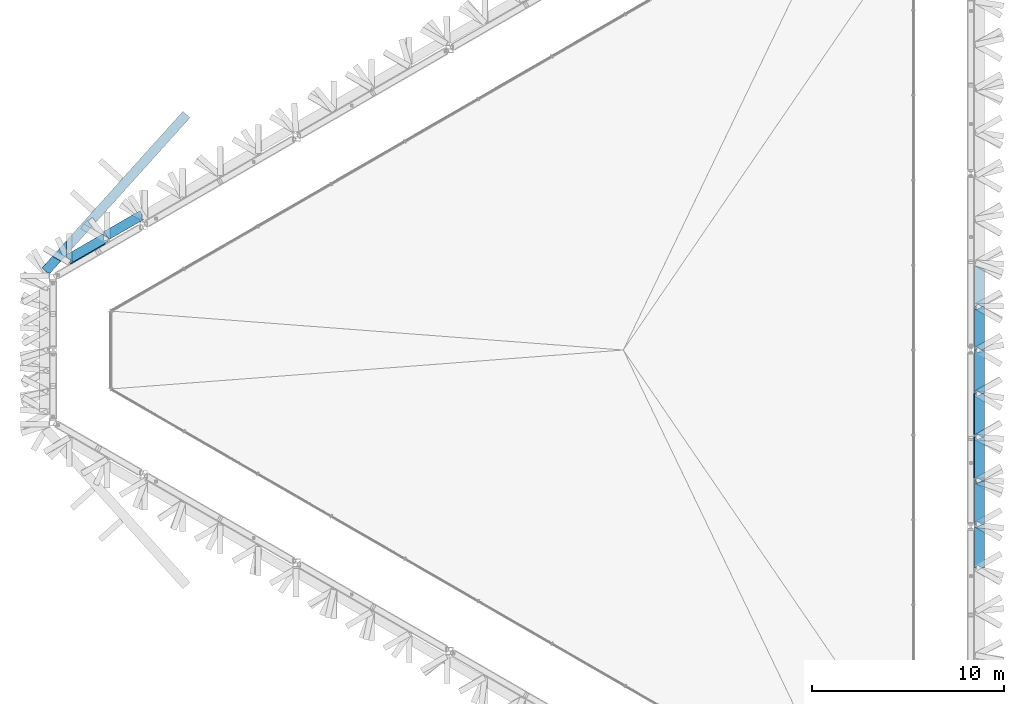
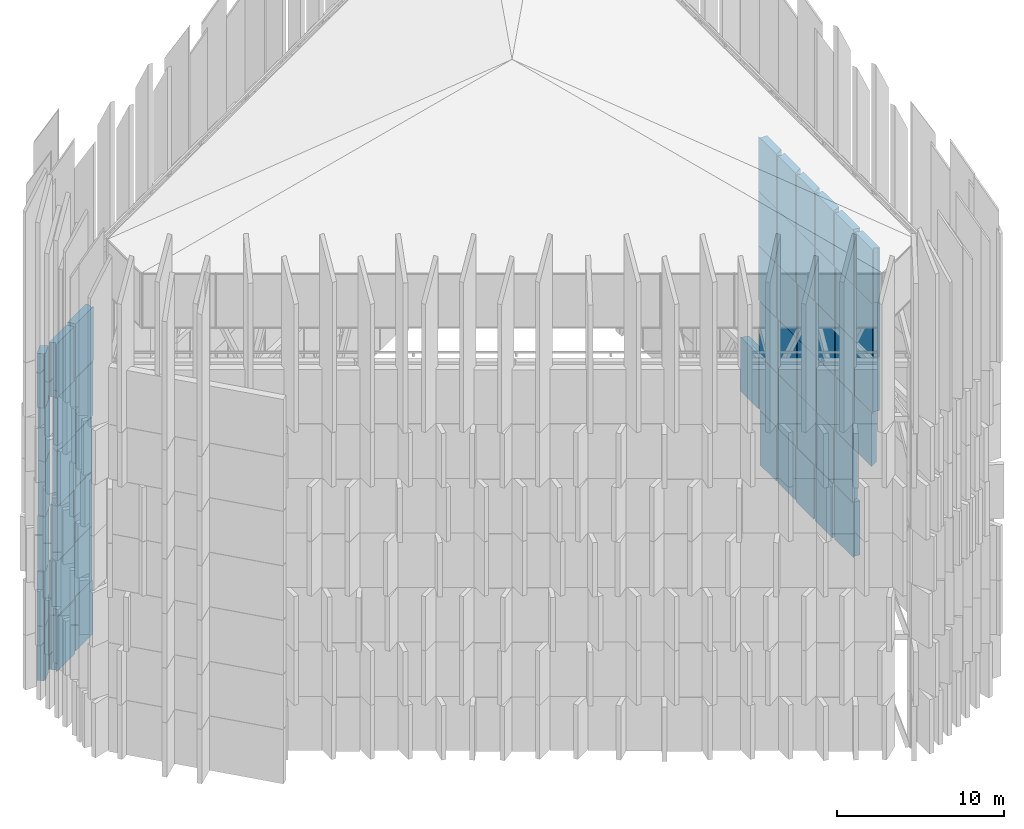
# One storey, part 31 of 45: 54 plates.
"""IFC4 building model written with IfcOpenShell, lengths in metres."""

from ifc_helpers import new_model, si_unit, direction, frame, origin, place, context, subcontext, project, spatial, polyline, outline, extrude, material, layer, layer_set, type_object, element, save


model = new_model("IFC4")

# Units and contexts
model_context = context("Model", 3, precision=1e-05, world=origin(), true_north=direction((0.0, 1.0)))
body_context = subcontext(model_context, "Body", "Model", "MODEL_VIEW")
ifc_project = project(units=[si_unit("LENGTHUNIT", "METRE"), si_unit("AREAUNIT", "SQUARE_METRE"), si_unit("VOLUMEUNIT", "CUBIC_METRE"), si_unit("PLANEANGLEUNIT", "RADIAN"), si_unit("MASSUNIT", "GRAM", prefix="KILO")], contexts=[model_context])

# Site, building, storey
site_placement = place(None, origin())
site = spatial("IfcSite", under=ifc_project, at=site_placement, CompositionType="ELEMENT")
building_placement = place(site_placement, origin())
building = spatial("IfcBuilding", under=site, at=building_placement, Name="Jabali Bay Hotel Tower and Convention Centre", CompositionType="ELEMENT")
storey_placement = place(building_placement, frame((0.0, 0.0, 322.39990234375)))
storey = spatial("IfcBuildingStorey", under=building, at=storey_placement, Name="Crown", CompositionType="ELEMENT", Elevation=322.39990234375)

# Plates
ifc_material = material(Name="Precast concrete C60", Category="concrete")
ifc_layer = layer(ifc_material, 0.5)
ifc_layer_set = layer_set([ifc_layer], Name="Precast concrete C60")
plate_type = type_object("IfcPlateType", Name="Pierced precast screen", PredefinedType="USERDEFINED", material=ifc_layer_set)
plate_1_placement = place(storey_placement, frame((0.0, 0.0, 0.010009765625)))
element("IfcPlate", 1, at=plate_1_placement, inside=storey, type_object=plate_type, Name="Screen 1.0.06", ObjectType="SCREEN", PredefinedType="USERDEFINED", context=body_context, shape_type="SweptSolid", body=[
    extrude(outline(polyline([(93.348876953125, 73.1708984375), (93.348876953125, 70.89453125), (93.369384765625, 70.89453125), (93.39013671875, 71.04296875), (93.848876953125, 70.979248046875), (93.848876953125, 73.1708984375), (93.76611328125, 73.1708984375), (93.40771484375, 73.031005859375), (93.353271484375, 73.1708984375), (93.348876953125, 73.1708984375)])), origin(), (0.0, 0.0, 1.0), 3.9658203125),
])
plate_2_placement = place(storey_placement, frame((0.0, 0.0, 0.010009765625)))
element("IfcPlate", 2, at=plate_2_placement, inside=storey, type_object=plate_type, Name="Screen 1.0.07", ObjectType="SCREEN", PredefinedType="USERDEFINED", context=body_context, shape_type="SweptSolid", body=[
    extrude(outline(polyline([(93.298828125, 75.447265625), (93.298828125, 73.310546875), (93.798828125, 73.505615234375), (93.798828125, 75.447265625), (93.673828125, 75.447265625), (93.44873046875, 75.3173828125), (93.373779296875, 75.447265625), (93.298828125, 75.447265625)])), origin(), (0.0, 0.0, 1.0), 3.9658203125),
])
plate_3_placement = place(storey_placement, frame((0.0, 0.0, 0.010009765625)))
element("IfcPlate", 3, at=plate_3_placement, inside=storey, type_object=plate_type, Name="Screen 1.0.08", ObjectType="SCREEN", PredefinedType="USERDEFINED", context=body_context, shape_type="SweptSolid", body=[
    extrude(outline(polyline([(93.298828125, 77.7236328125), (93.298828125, 75.5771484375), (93.798828125, 75.86572265625), (93.798828125, 77.7236328125), (93.673828125, 77.7236328125), (93.44873046875, 77.59375), (93.373779296875, 77.7236328125), (93.298828125, 77.7236328125)])), origin(), (0.0, 0.0, 1.0), 3.9658203125),
])
plate_4_placement = place(storey_placement, frame((0.0, 0.0, 0.010009765625)))
element("IfcPlate", 4, at=plate_4_placement, inside=storey, type_object=plate_type, Name="Screen 1.0.09", ObjectType="SCREEN", PredefinedType="USERDEFINED", context=body_context, shape_type="SweptSolid", body=[
    extrude(outline(polyline([(93.348876953125, 80.0), (93.348876953125, 77.88232421875), (93.848876953125, 78.171142578125), (93.848876953125, 80.0), (93.7236328125, 80.0), (93.498779296875, 79.8701171875), (93.423828125, 80.0), (93.348876953125, 80.0)])), origin(), (0.0, 0.0, 1.0), 3.9658203125),
])
plate_5_placement = place(storey_placement, frame((0.0, 0.0, 0.010009765625)))
element("IfcPlate", 5, at=plate_5_placement, inside=storey, type_object=plate_type, Name="Screen 1.0.10", ObjectType="SCREEN", PredefinedType="USERDEFINED", context=body_context, shape_type="SweptSolid", body=[
    extrude(outline(polyline([(93.348876953125, 82.126953125), (93.348876953125, 80.1298828125), (93.848876953125, 80.418701171875), (93.848876953125, 82.1318359375), (93.348876953125, 82.126953125)])), origin(), (0.0, 0.0, 1.0), 3.9658203125),
])
plate_6_placement = place(storey_placement, frame((0.0, 0.0, 0.010009765625)))
element("IfcPlate", 6, at=plate_6_placement, inside=storey, type_object=plate_type, Name="Screen 1.2.46", ObjectType="SCREEN", PredefinedType="USERDEFINED", context=body_context, shape_type="SweptSolid", body=[
    extrude(outline(polyline([(48.1650390625, 85.778564453125), (49.945556640625, 86.806640625), (49.891845703125, 86.806640625), (49.891845703125, 87.06640625), (49.767822265625, 87.281494140625), (47.8525390625, 86.175537109375), (48.1650390625, 85.778564453125)])), origin(), (0.0, 0.0, 1.0), 3.9658203125),
])
plate_7_placement = place(storey_placement, frame((0.0, 0.0, 0.010009765625)))
element("IfcPlate", 7, at=plate_7_placement, inside=storey, type_object=plate_type, Name="Screen 1.2.47", ObjectType="SCREEN", PredefinedType="USERDEFINED", context=body_context, shape_type="SweptSolid", body=[
    extrude(outline(polyline([(46.136474609375, 84.46533203125), (47.9794921875, 85.529296875), (47.6669921875, 85.92626953125), (45.886474609375, 84.8984375), (45.94921875, 84.7900390625), (46.174072265625, 84.66015625), (46.09912109375, 84.5302734375), (46.136474609375, 84.46533203125)])), origin(), (0.0, 0.0, 1.0), 3.9658203125),
])
plate_8_placement = place(storey_placement, frame((0.0, 0.0, 3.995849609375)))
element("IfcPlate", 8, at=plate_8_placement, inside=storey, type_object=plate_type, Name="Screen 2.0.06", ObjectType="SCREEN", PredefinedType="USERDEFINED", context=body_context, shape_type="SweptSolid", body=[
    extrude(outline(polyline([(93.348876953125, 73.1708984375), (93.348876953125, 71.0244140625), (93.848876953125, 71.31298828125), (93.848876953125, 73.1708984375), (93.7236328125, 73.1708984375), (93.498779296875, 73.041015625), (93.423828125, 73.1708984375), (93.348876953125, 73.1708984375)])), origin(), (0.0, 0.0, 1.0), 3.965576171875),
])
plate_9_placement = place(storey_placement, frame((0.0, 0.0, 3.995849609375)))
element("IfcPlate", 9, at=plate_9_placement, inside=storey, type_object=plate_type, Name="Screen 2.0.07", ObjectType="SCREEN", PredefinedType="USERDEFINED", context=body_context, shape_type="SweptSolid", body=[
    extrude(outline(polyline([(93.348876953125, 75.297607421875), (93.348876953125, 73.30078125), (93.848876953125, 73.58935546875), (93.848876953125, 75.268798828125), (93.348876953125, 75.297607421875)])), origin(), (0.0, 0.0, 1.0), 3.965576171875),
])
plate_10_placement = place(storey_placement, frame((0.0, 0.0, 3.995849609375)))
element("IfcPlate", 10, at=plate_10_placement, inside=storey, type_object=plate_type, Name="Screen 2.0.08", ObjectType="SCREEN", PredefinedType="USERDEFINED", context=body_context, shape_type="SweptSolid", body=[
    extrude(outline(polyline([(93.348876953125, 77.59375), (93.348876953125, 75.447265625), (93.357421875, 75.447265625), (93.365966796875, 75.596923828125), (93.848876953125, 75.5693359375), (93.848876953125, 77.304931640625), (93.348876953125, 77.59375)])), origin(), (0.0, 0.0, 1.0), 3.965576171875),
])
plate_11_placement = place(storey_placement, frame((0.0, 0.0, 3.995849609375)))
element("IfcPlate", 11, at=plate_11_placement, inside=storey, type_object=plate_type, Name="Screen 2.0.09", ObjectType="SCREEN", PredefinedType="USERDEFINED", context=body_context, shape_type="SweptSolid", body=[
    extrude(outline(polyline([(93.348876953125, 79.8701171875), (93.348876953125, 77.7236328125), (93.423828125, 77.7236328125), (93.498779296875, 77.853515625), (93.7236328125, 77.7236328125), (93.848876953125, 77.7236328125), (93.848876953125, 79.581298828125), (93.348876953125, 79.8701171875)])), origin(), (0.0, 0.0, 1.0), 3.965576171875),
])
plate_12_placement = place(storey_placement, frame((0.0, 0.0, 3.995849609375)))
element("IfcPlate", 12, at=plate_12_placement, inside=storey, type_object=plate_type, Name="Screen 2.0.10", ObjectType="SCREEN", PredefinedType="USERDEFINED", context=body_context, shape_type="SweptSolid", body=[
    extrude(outline(polyline([(93.348876953125, 82.146484375), (93.348876953125, 80.0), (93.423828125, 80.0), (93.498779296875, 80.1298828125), (93.7236328125, 80.0), (93.848876953125, 80.0), (93.848876953125, 81.857666015625), (93.348876953125, 82.146484375)])), origin(), (0.0, 0.0, 1.0), 3.965576171875),
])
plate_13_placement = place(storey_placement, frame((0.0, 0.0, 3.995849609375)))
element("IfcPlate", 13, at=plate_13_placement, inside=storey, type_object=plate_type, Name="Screen 2.0.11", ObjectType="SCREEN", PredefinedType="USERDEFINED", context=body_context, shape_type="SweptSolid", body=[
    extrude(outline(polyline([(93.348876953125, 84.4111328125), (93.348876953125, 82.2763671875), (93.423828125, 82.2763671875), (93.498779296875, 82.40625), (93.7236328125, 82.2763671875), (93.848876953125, 82.2763671875), (93.848876953125, 84.23681640625), (93.348876953125, 84.4111328125)])), origin(), (0.0, 0.0, 1.0), 3.965576171875),
])
plate_14_placement = place(storey_placement, frame((0.0, 0.0, 3.995849609375)))
element("IfcPlate", 14, at=plate_14_placement, inside=storey, type_object=plate_type, Name="Screen 2.2.46", ObjectType="SCREEN", PredefinedType="USERDEFINED", context=body_context, shape_type="SweptSolid", body=[
    extrude(outline(polyline([(48.04638671875, 85.710205078125), (49.884033203125, 86.771240234375), (49.6083984375, 87.189208984375), (47.79638671875, 86.14306640625), (47.8955078125, 85.971435546875), (48.12060546875, 85.841552734375), (48.04541015625, 85.711669921875), (48.04638671875, 85.710205078125)])), origin(), (0.0, 0.0, 1.0), 3.965576171875),
])
plate_15_placement = place(storey_placement, frame((0.0, 0.0, 3.995849609375)))
element("IfcPlate", 15, at=plate_15_placement, inside=storey, type_object=plate_type, Name="Screen 2.2.47", ObjectType="SCREEN", PredefinedType="USERDEFINED", context=body_context, shape_type="SweptSolid", body=[
    extrude(outline(polyline([(46.111572265625, 84.508544921875), (47.970458984375, 85.581787109375), (47.470458984375, 85.87060546875), (45.861572265625, 84.941650390625), (45.924072265625, 84.833251953125), (46.149169921875, 84.703369140625), (46.07421875, 84.573486328125), (46.111572265625, 84.508544921875)])), origin(), (0.0, 0.0, 1.0), 3.965576171875),
])
plate_16_placement = place(storey_placement, frame((0.0, 0.0, 7.9814453125)))
element("IfcPlate", 16, at=plate_16_placement, inside=storey, type_object=plate_type, Name="Screen 3.0.05", ObjectType="SCREEN", PredefinedType="USERDEFINED", context=body_context, shape_type="SweptSolid", body=[
    extrude(outline(polyline([(93.348876953125, 70.89453125), (93.348876953125, 68.748046875), (93.848876953125, 69.03662109375), (93.848876953125, 70.89453125), (93.7236328125, 70.89453125), (93.498779296875, 70.7646484375), (93.423828125, 70.89453125), (93.348876953125, 70.89453125)])), origin(), (0.0, 0.0, 1.0), 3.9658203125),
])
plate_17_placement = place(storey_placement, frame((0.0, 0.0, 7.9814453125)))
element("IfcPlate", 17, at=plate_17_placement, inside=storey, type_object=plate_type, Name="Screen 3.0.06", ObjectType="SCREEN", PredefinedType="USERDEFINED", context=body_context, shape_type="SweptSolid", body=[
    extrude(outline(polyline([(93.348876953125, 73.02099609375), (93.348876953125, 71.0244140625), (93.848876953125, 71.31298828125), (93.848876953125, 73.010009765625), (93.348876953125, 73.02099609375)])), origin(), (0.0, 0.0, 1.0), 3.9658203125),
])
plate_18_placement = place(storey_placement, frame((0.0, 0.0, 7.9814453125)))
element("IfcPlate", 18, at=plate_18_placement, inside=storey, type_object=plate_type, Name="Screen 3.0.07", ObjectType="SCREEN", PredefinedType="USERDEFINED", context=body_context, shape_type="SweptSolid", body=[
    extrude(outline(polyline([(93.348876953125, 75.3173828125), (93.348876953125, 73.1708984375), (93.35205078125, 73.1708984375), (93.355224609375, 73.32080078125), (93.848876953125, 73.310302734375), (93.848876953125, 75.028564453125), (93.348876953125, 75.3173828125)])), origin(), (0.0, 0.0, 1.0), 3.9658203125),
])
plate_19_placement = place(storey_placement, frame((0.0, 0.0, 7.9814453125)))
element("IfcPlate", 19, at=plate_19_placement, inside=storey, type_object=plate_type, Name="Screen 3.0.08", ObjectType="SCREEN", PredefinedType="USERDEFINED", context=body_context, shape_type="SweptSolid", body=[
    extrude(outline(polyline([(93.348876953125, 77.59375), (93.348876953125, 75.447265625), (93.423828125, 75.447265625), (93.498779296875, 75.5771484375), (93.7236328125, 75.447265625), (93.848876953125, 75.447265625), (93.848876953125, 77.304931640625), (93.348876953125, 77.59375)])), origin(), (0.0, 0.0, 1.0), 3.9658203125),
])
plate_20_placement = place(storey_placement, frame((0.0, 0.0, 7.9814453125)))
element("IfcPlate", 20, at=plate_20_placement, inside=storey, type_object=plate_type, Name="Screen 3.0.09", ObjectType="SCREEN", PredefinedType="USERDEFINED", context=body_context, shape_type="SweptSolid", body=[
    extrude(outline(polyline([(93.348876953125, 79.8701171875), (93.348876953125, 77.7236328125), (93.423828125, 77.7236328125), (93.498779296875, 77.853515625), (93.7236328125, 77.7236328125), (93.848876953125, 77.7236328125), (93.848876953125, 79.581298828125), (93.348876953125, 79.8701171875)])), origin(), (0.0, 0.0, 1.0), 3.9658203125),
])
plate_21_placement = place(storey_placement, frame((0.0, 0.0, 7.9814453125)))
element("IfcPlate", 21, at=plate_21_placement, inside=storey, type_object=plate_type, Name="Screen 3.0.10", ObjectType="SCREEN", PredefinedType="USERDEFINED", context=body_context, shape_type="SweptSolid", body=[
    extrude(outline(polyline([(93.348876953125, 82.142822265625), (93.348876953125, 80.0), (93.423828125, 80.0), (93.498779296875, 80.1298828125), (93.7236328125, 80.0), (93.848876953125, 80.0), (93.848876953125, 81.887451171875), (93.348876953125, 82.142822265625)])), origin(), (0.0, 0.0, 1.0), 3.9658203125),
])
plate_22_placement = place(storey_placement, frame((0.0, 0.0, 7.9814453125)))
element("IfcPlate", 22, at=plate_22_placement, inside=storey, type_object=plate_type, Name="Screen 3.2.46", ObjectType="SCREEN", PredefinedType="USERDEFINED", context=body_context, shape_type="SweptSolid", body=[
    extrude(outline(polyline([(48.110107421875, 85.746826171875), (49.85400390625, 86.753662109375), (49.35400390625, 87.04248046875), (47.79638671875, 86.14306640625), (47.82568359375, 86.09228515625), (48.15771484375, 85.80126953125), (48.110107421875, 85.746826171875)])), origin(), (0.0, 0.0, 1.0), 3.9658203125),
])
plate_23_placement = place(storey_placement, frame((0.0, 0.0, 7.9814453125)))
element("IfcPlate", 23, at=plate_23_placement, inside=storey, type_object=plate_type, Name="Screen 3.2.47", ObjectType="SCREEN", PredefinedType="USERDEFINED", context=body_context, shape_type="SweptSolid", body=[
    extrude(outline(polyline([(46.2412109375, 84.58349609375), (47.9599609375, 85.57568359375), (47.56298828125, 85.923828125), (46.01904296875, 85.032470703125), (46.2412109375, 84.58349609375)])), origin(), (0.0, 0.0, 1.0), 3.9658203125),
])
plate_24_placement = place(storey_placement, frame((0.0, 0.0, 11.96728515625)))
element("IfcPlate", 24, at=plate_24_placement, inside=storey, type_object=plate_type, Name="Screen 4.0.05", ObjectType="SCREEN", PredefinedType="USERDEFINED", context=body_context, shape_type="SweptSolid", body=[
    extrude(outline(polyline([(93.348876953125, 70.76416015625), (93.348876953125, 68.6181640625), (93.3876953125, 68.6181640625), (93.426513671875, 68.762939453125), (93.848876953125, 68.6494140625), (93.848876953125, 70.478271484375), (93.348876953125, 70.76416015625)])), origin(), (0.0, 0.0, 1.0), 3.965576171875),
])
plate_25_placement = place(storey_placement, frame((0.0, 0.0, 11.96728515625)))
element("IfcPlate", 25, at=plate_25_placement, inside=storey, type_object=plate_type, Name="Screen 4.0.06", ObjectType="SCREEN", PredefinedType="USERDEFINED", context=body_context, shape_type="SweptSolid", body=[
    extrude(outline(polyline([(93.348876953125, 73.041015625), (93.348876953125, 70.89453125), (93.423095703125, 70.89453125), (93.49755859375, 71.024658203125), (93.725341796875, 70.89453125), (93.848876953125, 70.89453125), (93.848876953125, 72.752197265625), (93.348876953125, 73.041015625)])), origin(), (0.0, 0.0, 1.0), 3.965576171875),
])
plate_26_placement = place(storey_placement, frame((0.0, 0.0, 11.96728515625)))
element("IfcPlate", 26, at=plate_26_placement, inside=storey, type_object=plate_type, Name="Screen 4.0.07", ObjectType="SCREEN", PredefinedType="USERDEFINED", context=body_context, shape_type="SweptSolid", body=[
    extrude(outline(polyline([(93.348876953125, 75.3115234375), (93.348876953125, 73.1708984375), (93.423828125, 73.1708984375), (93.498779296875, 73.30078125), (93.7236328125, 73.1708984375), (93.848876953125, 73.1708984375), (93.848876953125, 75.076416015625), (93.348876953125, 75.3115234375)])), origin(), (0.0, 0.0, 1.0), 3.965576171875),
])
plate_27_placement = place(storey_placement, frame((0.0, 0.0, 11.96728515625)))
element("IfcPlate", 27, at=plate_27_placement, inside=storey, type_object=plate_type, Name="Screen 4.0.08", ObjectType="SCREEN", PredefinedType="USERDEFINED", context=body_context, shape_type="SweptSolid", body=[
    extrude(outline(polyline([(93.348876953125, 77.575439453125), (93.348876953125, 75.447265625), (93.41259765625, 75.447265625), (93.476318359375, 75.5830078125), (93.76513671875, 75.447265625), (93.848876953125, 75.447265625), (93.848876953125, 77.497314453125), (93.348876953125, 77.575439453125)])), origin(), (0.0, 0.0, 1.0), 3.965576171875),
])
plate_28_placement = place(storey_placement, frame((0.0, 0.0, 11.96728515625)))
element("IfcPlate", 28, at=plate_28_placement, inside=storey, type_object=plate_type, Name="Screen 4.0.09", ObjectType="SCREEN", PredefinedType="USERDEFINED", context=body_context, shape_type="SweptSolid", body=[
    extrude(outline(polyline([(93.348876953125, 80.0), (93.348876953125, 77.7236328125), (93.371826171875, 77.7236328125), (93.39501953125, 77.871826171875), (93.848876953125, 77.80078125), (93.848876953125, 79.93310546875), (93.402099609375, 79.852294921875), (93.37548828125, 80.0), (93.348876953125, 80.0)])), origin(), (0.0, 0.0, 1.0), 3.965576171875),
])
plate_29_placement = place(storey_placement, frame((0.0, 0.0, 11.96728515625)))
element("IfcPlate", 29, at=plate_29_placement, inside=storey, type_object=plate_type, Name="Screen 4.0.10", ObjectType="SCREEN", PredefinedType="USERDEFINED", context=body_context, shape_type="SweptSolid", body=[
    extrude(outline(polyline([(93.348876953125, 82.2763671875), (93.348876953125, 80.147705078125), (93.848876953125, 80.238037109375), (93.848876953125, 82.2763671875), (93.755615234375, 82.2763671875), (93.480712890625, 82.1416015625), (93.414794921875, 82.2763671875), (93.348876953125, 82.2763671875)])), origin(), (0.0, 0.0, 1.0), 3.965576171875),
])
plate_30_placement = place(storey_placement, frame((0.0, 0.0, 11.96728515625)))
element("IfcPlate", 30, at=plate_30_placement, inside=storey, type_object=plate_type, Name="Screen 4.2.46", ObjectType="SCREEN", PredefinedType="USERDEFINED", context=body_context, shape_type="SweptSolid", body=[
    extrude(outline(polyline([(48.195556640625, 85.796142578125), (49.86669921875, 86.760986328125), (49.46923828125, 87.10888671875), (48.195556640625, 86.37353515625), (48.195556640625, 85.796142578125)])), origin(), (0.0, 0.0, 1.0), 3.965576171875),
])
plate_31_placement = place(storey_placement, frame((0.0, 0.0, 11.96728515625)))
element("IfcPlate", 31, at=plate_31_placement, inside=storey, type_object=plate_type, Name="Screen 4.2.47", ObjectType="SCREEN", PredefinedType="USERDEFINED", context=body_context, shape_type="SweptSolid", body=[
    extrude(outline(polyline([(46.22412109375, 84.573486328125), (48.0830078125, 85.646728515625), (48.04541015625, 85.711669921875), (47.8955078125, 85.711669921875), (47.8955078125, 85.971435546875), (47.8330078125, 86.079833984375), (46.22412109375, 85.15087890625), (46.22412109375, 84.573486328125)])), origin(), (0.0, 0.0, 1.0), 3.965576171875),
])
plate_32_placement = place(storey_placement, frame((0.0, 0.0, 15.952880859375)))
element("IfcPlate", 32, at=plate_32_placement, inside=storey, type_object=plate_type, Name="Screen 5.0.05", ObjectType="SCREEN", PredefinedType="USERDEFINED", context=body_context, shape_type="SweptSolid", body=[
    extrude(outline(polyline([(93.348876953125, 70.7646484375), (93.348876953125, 68.6181640625), (93.423828125, 68.6181640625), (93.498779296875, 68.748046875), (93.7236328125, 68.6181640625), (93.848876953125, 68.6181640625), (93.848876953125, 70.475830078125), (93.348876953125, 70.7646484375)])), origin(), (0.0, 0.0, 1.0), 3.9658203125),
])
plate_33_placement = place(storey_placement, frame((0.0, 0.0, 15.952880859375)))
element("IfcPlate", 33, at=plate_33_placement, inside=storey, type_object=plate_type, Name="Screen 5.0.06", ObjectType="SCREEN", PredefinedType="USERDEFINED", context=body_context, shape_type="SweptSolid", body=[
    extrude(outline(polyline([(93.348876953125, 73.029296875), (93.348876953125, 70.89453125), (93.423828125, 70.89453125), (93.498779296875, 71.0244140625), (93.7236328125, 70.89453125), (93.848876953125, 70.89453125), (93.848876953125, 72.854248046875), (93.348876953125, 73.029296875)])), origin(), (0.0, 0.0, 1.0), 3.9658203125),
])
plate_34_placement = place(storey_placement, frame((0.0, 0.0, 15.952880859375)))
element("IfcPlate", 34, at=plate_34_placement, inside=storey, type_object=plate_type, Name="Screen 5.0.07", ObjectType="SCREEN", PredefinedType="USERDEFINED", context=body_context, shape_type="SweptSolid", body=[
    extrude(outline(polyline([(93.348876953125, 75.447265625), (93.348876953125, 73.1708984375), (93.3984375, 73.1708984375), (93.447998046875, 73.3125), (93.848876953125, 73.172119140625), (93.848876953125, 75.447265625), (93.7236328125, 75.447265625), (93.498779296875, 75.3173828125), (93.423828125, 75.447265625), (93.348876953125, 75.447265625)])), origin(), (0.0, 0.0, 1.0), 3.9658203125),
])
plate_35_placement = place(storey_placement, frame((0.0, 0.0, 15.952880859375)))
element("IfcPlate", 35, at=plate_35_placement, inside=storey, type_object=plate_type, Name="Screen 5.0.08", ObjectType="SCREEN", PredefinedType="USERDEFINED", context=body_context, shape_type="SweptSolid", body=[
    extrude(outline(polyline([(93.348876953125, 77.7236328125), (93.348876953125, 75.5771484375), (93.848876953125, 75.86572265625), (93.848876953125, 77.7236328125), (93.7236328125, 77.7236328125), (93.498779296875, 77.59375), (93.423828125, 77.7236328125), (93.348876953125, 77.7236328125)])), origin(), (0.0, 0.0, 1.0), 3.9658203125),
])
plate_36_placement = place(storey_placement, frame((0.0, 0.0, 15.952880859375)))
element("IfcPlate", 36, at=plate_36_placement, inside=storey, type_object=plate_type, Name="Screen 5.0.09", ObjectType="SCREEN", PredefinedType="USERDEFINED", context=body_context, shape_type="SweptSolid", body=[
    extrude(outline(polyline([(93.348876953125, 80.0), (93.348876953125, 77.853515625), (93.848876953125, 78.142333984375), (93.848876953125, 80.0), (93.7236328125, 80.0), (93.498779296875, 79.8701171875), (93.423828125, 80.0), (93.348876953125, 80.0)])), origin(), (0.0, 0.0, 1.0), 3.9658203125),
])
plate_37_placement = place(storey_placement, frame((0.0, 0.0, 15.952880859375)))
element("IfcPlate", 37, at=plate_37_placement, inside=storey, type_object=plate_type, Name="Screen 5.0.10", ObjectType="SCREEN", PredefinedType="USERDEFINED", context=body_context, shape_type="SweptSolid", body=[
    extrude(outline(polyline([(93.348876953125, 82.2763671875), (93.348876953125, 80.1298828125), (93.848876953125, 80.418701171875), (93.848876953125, 82.2763671875), (93.7236328125, 82.2763671875), (93.498779296875, 82.146484375), (93.423828125, 82.2763671875), (93.348876953125, 82.2763671875)])), origin(), (0.0, 0.0, 1.0), 3.9658203125),
])
plate_38_placement = place(storey_placement, frame((0.0, 0.0, 15.952880859375)))
element("IfcPlate", 38, at=plate_38_placement, inside=storey, type_object=plate_type, Name="Screen 5.2.46", ObjectType="SCREEN", PredefinedType="USERDEFINED", context=body_context, shape_type="SweptSolid", body=[
    extrude(outline(polyline([(48.195556640625, 85.796142578125), (49.995849609375, 86.835693359375), (49.874267578125, 86.823486328125), (49.84130859375, 87.154296875), (49.767822265625, 87.281494140625), (48.195556640625, 86.37353515625), (48.195556640625, 85.796142578125)])), origin(), (0.0, 0.0, 1.0), 3.9658203125),
])
plate_39_placement = place(storey_placement, frame((0.0, 0.0, 15.952880859375)))
element("IfcPlate", 39, at=plate_39_placement, inside=storey, type_object=plate_type, Name="Screen 5.2.47", ObjectType="SCREEN", PredefinedType="USERDEFINED", context=body_context, shape_type="SweptSolid", body=[
    extrude(outline(polyline([(46.22412109375, 84.573486328125), (48.0830078125, 85.646728515625), (48.04541015625, 85.711669921875), (47.8955078125, 85.711669921875), (47.8955078125, 85.971435546875), (47.8330078125, 86.079833984375), (46.22412109375, 85.15087890625), (46.22412109375, 84.573486328125)])), origin(), (0.0, 0.0, 1.0), 3.9658203125),
])
plate_40_placement = place(storey_placement, frame((0.0, 0.0, 19.938720703125)))
element("IfcPlate", 40, at=plate_40_placement, inside=storey, type_object=plate_type, Name="Screen 6.0.05", ObjectType="SCREEN", PredefinedType="USERDEFINED", context=body_context, shape_type="SweptSolid", body=[
    extrude(outline(polyline([(93.348876953125, 70.745849609375), (93.348876953125, 68.6181640625), (93.423828125, 68.6181640625), (93.498779296875, 68.748046875), (93.7236328125, 68.6181640625), (93.848876953125, 68.6181640625), (93.848876953125, 70.67626953125), (93.348876953125, 70.745849609375)])), origin(), (0.0, 0.0, 1.0), 3.965576171875),
])
plate_41_placement = place(storey_placement, frame((0.0, 0.0, 19.938720703125)))
element("IfcPlate", 41, at=plate_41_placement, inside=storey, type_object=plate_type, Name="Screen 6.0.06", ObjectType="SCREEN", PredefinedType="USERDEFINED", context=body_context, shape_type="SweptSolid", body=[
    extrude(outline(polyline([(93.348876953125, 73.1708984375), (93.348876953125, 70.89453125), (93.369384765625, 70.89453125), (93.39013671875, 71.04296875), (93.848876953125, 70.979248046875), (93.848876953125, 73.1708984375), (93.816162109375, 73.1708984375), (93.457763671875, 73.031005859375), (93.4033203125, 73.1708984375), (93.348876953125, 73.1708984375)])), origin(), (0.0, 0.0, 1.0), 3.965576171875),
])
plate_42_placement = place(storey_placement, frame((0.0, 0.0, 19.938720703125)))
element("IfcPlate", 42, at=plate_42_placement, inside=storey, type_object=plate_type, Name="Screen 6.0.07", ObjectType="SCREEN", PredefinedType="USERDEFINED", context=body_context, shape_type="SweptSolid", body=[
    extrude(outline(polyline([(93.348876953125, 75.447265625), (93.348876953125, 73.310546875), (93.848876953125, 73.505615234375), (93.848876953125, 75.447265625), (93.7236328125, 75.447265625), (93.498779296875, 75.3173828125), (93.423828125, 75.447265625), (93.348876953125, 75.447265625)])), origin(), (0.0, 0.0, 1.0), 3.965576171875),
])
plate_43_placement = place(storey_placement, frame((0.0, 0.0, 19.938720703125)))
element("IfcPlate", 43, at=plate_43_placement, inside=storey, type_object=plate_type, Name="Screen 6.0.08", ObjectType="SCREEN", PredefinedType="USERDEFINED", context=body_context, shape_type="SweptSolid", body=[
    extrude(outline(polyline([(93.348876953125, 77.7236328125), (93.348876953125, 75.5771484375), (93.848876953125, 75.86572265625), (93.848876953125, 77.7236328125), (93.7236328125, 77.7236328125), (93.498779296875, 77.59375), (93.423828125, 77.7236328125), (93.348876953125, 77.7236328125)])), origin(), (0.0, 0.0, 1.0), 3.965576171875),
])
plate_44_placement = place(storey_placement, frame((0.0, 0.0, 19.938720703125)))
element("IfcPlate", 44, at=plate_44_placement, inside=storey, type_object=plate_type, Name="Screen 6.0.09", ObjectType="SCREEN", PredefinedType="USERDEFINED", context=body_context, shape_type="SweptSolid", body=[
    extrude(outline(polyline([(93.348876953125, 80.0), (93.348876953125, 77.853515625), (93.848876953125, 78.142333984375), (93.848876953125, 80.0), (93.7236328125, 80.0), (93.498779296875, 79.8701171875), (93.423828125, 80.0), (93.348876953125, 80.0)])), origin(), (0.0, 0.0, 1.0), 3.965576171875),
])
plate_45_placement = place(storey_placement, frame((0.0, 0.0, 19.938720703125)))
element("IfcPlate", 45, at=plate_45_placement, inside=storey, type_object=plate_type, Name="Screen 6.0.10", ObjectType="SCREEN", PredefinedType="USERDEFINED", context=body_context, shape_type="SweptSolid", body=[
    extrude(outline(polyline([(93.348876953125, 82.2763671875), (93.348876953125, 80.1298828125), (93.848876953125, 80.418701171875), (93.848876953125, 82.13134765625), (93.351806640625, 82.12646484375), (93.350341796875, 82.2763671875), (93.348876953125, 82.2763671875)])), origin(), (0.0, 0.0, 1.0), 3.965576171875),
])
plate_46_placement = place(storey_placement, frame((0.0, 0.0, 19.938720703125)))
element("IfcPlate", 46, at=plate_46_placement, inside=storey, type_object=plate_type, Name="Screen 6.2.46", ObjectType="SCREEN", PredefinedType="USERDEFINED", context=body_context, shape_type="SweptSolid", body=[
    extrude(outline(polyline([(48.171142578125, 85.7822265625), (50.017822265625, 86.848388671875), (50.016845703125, 86.849853515625), (49.866943359375, 86.849853515625), (49.866943359375, 87.109619140625), (49.767822265625, 87.281494140625), (47.85888671875, 86.17919921875), (48.171142578125, 85.7822265625)])), origin(), (0.0, 0.0, 1.0), 3.965576171875),
])
plate_47_placement = place(storey_placement, frame((0.0, 0.0, 19.938720703125)))
element("IfcPlate", 47, at=plate_47_placement, inside=storey, type_object=plate_type, Name="Screen 6.2.47", ObjectType="SCREEN", PredefinedType="USERDEFINED", context=body_context, shape_type="SweptSolid", body=[
    extrude(outline(polyline([(46.111572265625, 84.508544921875), (47.954345703125, 85.572509765625), (47.64208984375, 85.969482421875), (45.861572265625, 84.941650390625), (45.924072265625, 84.833251953125), (46.149169921875, 84.703369140625), (46.07421875, 84.573486328125), (46.111572265625, 84.508544921875)])), origin(), (0.0, 0.0, 1.0), 3.965576171875),
])
plate_48_placement = place(storey_placement, frame((0.0, 0.0, 0.010009765625)))
element("IfcPlate", 48, at=plate_48_placement, inside=storey, type_object=plate_type, Name="Screen 1.W00", ObjectType="SCREEN", PredefinedType="USERDEFINED", context=body_context, shape_type="SweptSolid", body=[
    extrude(outline(polyline([(45.02587890625, 83.96630859375), (45.62451171875, 84.631103515625), (45.181884765625, 84.88671875), (44.64453125, 84.289794921875), (44.93115234375, 84.03173828125), (45.02587890625, 84.03173828125), (45.02587890625, 83.96630859375)])), origin(), (0.0, 0.0, 1.0), 3.9658203125),
])
plate_49_placement = place(storey_placement, frame((0.0, 0.0, 0.010009765625)))
element("IfcPlate", 49, at=plate_49_placement, inside=storey, type_object=plate_type, Name="Screen 1.W01", ObjectType="SCREEN", PredefinedType="USERDEFINED", context=body_context, shape_type="SweptSolid", body=[
    extrude(outline(polyline([(45.82958984375, 84.85888671875), (47.25830078125, 86.445556640625), (47.0517578125, 86.7080078125), (47.28759765625, 86.8935546875), (47.4619140625, 86.671875), (52.37646484375, 92.1298828125), (52.0048828125, 92.46435546875), (45.386962890625, 85.114501953125), (45.82958984375, 84.85888671875)])), origin(), (0.0, 0.0, 1.0), 3.9658203125),
])
plate_50_placement = place(storey_placement, frame((0.0, 0.0, 3.995849609375)))
element("IfcPlate", 50, at=plate_50_placement, inside=storey, type_object=plate_type, Name="Screen 2.W00", ObjectType="SCREEN", PredefinedType="USERDEFINED", context=body_context, shape_type="SweptSolid", body=[
    extrude(outline(polyline([(45.02587890625, 83.96630859375), (45.6416015625, 84.650146484375), (45.198974609375, 84.905517578125), (44.64453125, 84.289794921875), (44.93115234375, 84.03173828125), (45.02587890625, 84.03173828125), (45.02587890625, 83.96630859375)])), origin(), (0.0, 0.0, 1.0), 3.965576171875),
])
plate_51_placement = place(storey_placement, frame((0.0, 0.0, 7.9814453125)))
element("IfcPlate", 51, at=plate_51_placement, inside=storey, type_object=plate_type, Name="Screen 3.W01", ObjectType="SCREEN", PredefinedType="USERDEFINED", context=body_context, shape_type="SweptSolid", body=[
    extrude(outline(polyline([(45.07568359375, 84.021728515625), (45.791259765625, 84.81640625), (45.552734375, 85.298828125), (44.717041015625, 84.37060546875), (45.07568359375, 84.021728515625)])), origin(), (0.0, 0.0, 1.0), 3.9658203125),
])
plate_52_placement = place(storey_placement, frame((0.0, 0.0, 11.96728515625)))
element("IfcPlate", 52, at=plate_52_placement, inside=storey, type_object=plate_type, Name="Screen 4.W01", ObjectType="SCREEN", PredefinedType="USERDEFINED", context=body_context, shape_type="SweptSolid", body=[
    extrude(outline(polyline([(45.072021484375, 84.017333984375), (45.924072265625, 84.9638671875), (45.924072265625, 85.711181640625), (44.80908203125, 84.47265625), (45.072021484375, 84.017333984375)])), origin(), (0.0, 0.0, 1.0), 3.965576171875),
])
plate_53_placement = place(storey_placement, frame((0.0, 0.0, 15.952880859375)))
element("IfcPlate", 53, at=plate_53_placement, inside=storey, type_object=plate_type, Name="Screen 5.W01", ObjectType="SCREEN", PredefinedType="USERDEFINED", context=body_context, shape_type="SweptSolid", body=[
    extrude(outline(polyline([(45.072021484375, 84.017333984375), (45.924072265625, 84.9638671875), (45.924072265625, 85.711181640625), (44.80908203125, 84.47265625), (45.072021484375, 84.017333984375)])), origin(), (0.0, 0.0, 1.0), 3.9658203125),
])
plate_54_placement = place(storey_placement, frame((0.0, 0.0, 19.938720703125)))
element("IfcPlate", 54, at=plate_54_placement, inside=storey, type_object=plate_type, Name="Screen 6.W00", ObjectType="SCREEN", PredefinedType="USERDEFINED", context=body_context, shape_type="SweptSolid", body=[
    extrude(outline(polyline([(45.02587890625, 83.96630859375), (45.6416015625, 84.650146484375), (45.198974609375, 84.905517578125), (44.64453125, 84.289794921875), (44.93115234375, 84.03173828125), (45.02587890625, 84.03173828125), (45.02587890625, 83.96630859375)])), origin(), (0.0, 0.0, 1.0), 3.965576171875),
])

save(model, "model.ifc")
